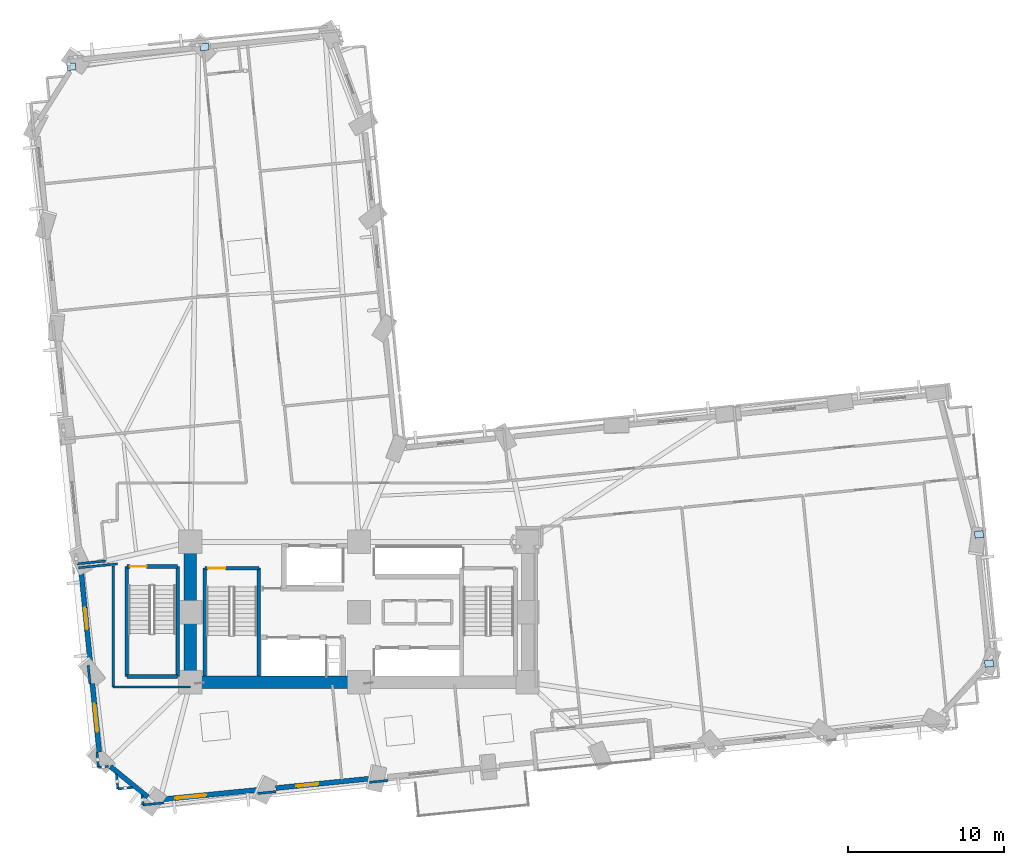
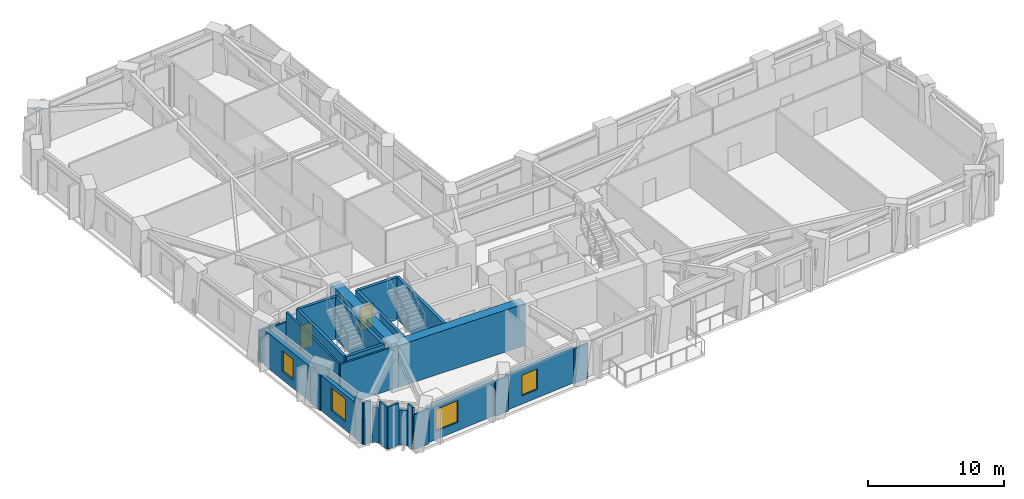
# One storey, part 7 of 16: 27 walls, 4 plates, 4 windows, 2 doors, 6 openings.
"""IFC4 building model written with IfcOpenShell, lengths in metres."""

from ifc_helpers import new_model, si_unit, direction, frame, frame_2d, origin, origin_2d, place, context, subcontext, project, spatial, rectangle, extrude, material, layer, layer_set, type_object, element, fill, save


model = new_model("IFC4")

# Units and contexts
model_context = context("Model", 3, precision=1e-05, world=origin(), true_north=direction((0.0, 1.0)))
body_context = subcontext(model_context, "Body", "Model", "MODEL_VIEW")
ifc_project = project(units=[si_unit("LENGTHUNIT", "METRE"), si_unit("AREAUNIT", "SQUARE_METRE"), si_unit("VOLUMEUNIT", "CUBIC_METRE"), si_unit("PLANEANGLEUNIT", "RADIAN"), si_unit("MASSUNIT", "GRAM", prefix="KILO")], contexts=[model_context])

# Site, building, storey
site_placement = place(None, origin())
site = spatial("IfcSite", under=ifc_project, at=site_placement, CompositionType="ELEMENT")
building_placement = place(site_placement, origin())
building = spatial("IfcBuilding", under=site, at=building_placement, Name="Gaonmaruhae Medical Tower", CompositionType="ELEMENT")
storey_placement = place(building_placement, frame((0.0, 0.0, 47.0)))
storey = spatial("IfcBuildingStorey", under=building, at=storey_placement, Name="L10", CompositionType="ELEMENT", Elevation=47.0)

# Plates
ifc_material_1 = material(Name="Steel HSA650 (650 MPa)", Category="steel")
ifc_layer_1 = layer(ifc_material_1, 0.028076171875)
ifc_layer_set_1 = layer_set([ifc_layer_1], Name="Steel HSA650 (650 MPa)")
plate_type = type_object("IfcPlateType", Name="GP-02 Tube Brace End Cap Gusset Plate", PredefinedType="USERDEFINED", material=ifc_layer_set_1)
for number, where, z_axis, x_axis, name in (
    (1, (65.174560546875, 9.0078125, 0.23583984375), (0.0, 0.0, 1.0), (0.995055569961, 0.099319749744, 0.0), "L10 Gusset Cap Plate PLT-L10-PBR-E01A"),
    (2, (64.52880859375, 17.281005859375, 3.51611328125), (0.0, 0.0, 1.0), (0.993272085779, 0.115803987891, 0.0), "L10 Gusset Cap Plate PLT-L10-PBR-E01B"),
    (3, (14.902587890625, 48.51025390625, 0.23583984375), (0.0, 0.0, 1.0), (0.995055569961, 0.099319749744, 0.0), "L10 Gusset Cap Plate PLT-L10-PBR-N02A"),
    (4, (6.3671875, 47.247314453125, 3.51611328125), (0.0, 0.0, 1.0), (0.993272085779, 0.115803987891, 0.0), "L10 Gusset Cap Plate PLT-L10-PBR-N02B"),
):
    element("IfcPlate", number, at=place(storey_placement, frame(where, z_axis=z_axis, x_axis=x_axis)), inside=storey, type_object=plate_type, Name=name, ObjectType="GUSSET_PLATE", PredefinedType="USERDEFINED", context=body_context, shape_type="SweptSolid", body=[
        extrude(rectangle(XDim=0.56005859375, YDim=0.43994140625, at=origin_2d()), origin(), (0.0, 0.0, 1.0), 0.028076171875),
    ])

# Walls
ifc_material_2 = material(Name="Concrete C60/75", Category="concrete")
ifc_layer_2 = layer(ifc_material_2, 0.800048828125)
ifc_layer_set_2 = layer_set([ifc_layer_2], Name="Concrete C60/75")
wall_type_1 = type_object("IfcWallType", Name="CW-800 Lower Core Shear Wall", PredefinedType="SHEAR", material=ifc_layer_set_2)
wall_1_placement = place(storey_placement, frame((14.0, 7.800048828125, 0.0), z_axis=(0.0, 0.0, 1.0), x_axis=(1.0, 0.0, 0.0)))
element("IfcWall", 5, at=wall_1_placement, inside=storey, type_object=wall_type_1, Name="L10 Core Shear Wall CSW-S1", PredefinedType="SHEAR", context=body_context, shape_type="SweptSolid", body=[
    extrude(rectangle(XDim=10.800048828125, YDim=0.800048828125, at=frame_2d((5.39990234375, 0.0))), origin(), (0.0, 0.0, 1.0), 3.780029296875),
])
wall_2_placement = place(storey_placement, frame((14.0, 16.800048828125, 0.0), z_axis=(0.0, 0.0, 1.0), x_axis=(0.0, -1.0, 0.0)))
element("IfcWall", 6, at=wall_2_placement, inside=storey, type_object=wall_type_1, Name="L10 Core Shear Wall CSW-W1", PredefinedType="SHEAR", context=body_context, shape_type="SweptSolid", body=[
    extrude(rectangle(XDim=9.0, YDim=0.800048828125, at=frame_2d((4.5, 0.0))), origin(), (0.0, 0.0, 1.0), 3.780029296875),
])

# Wall, opening, window
ifc_material_3 = material(Name="Precast concrete C45/55", Category="concrete")
ifc_layer_3 = layer(ifc_material_3, 0.320068359375)
ifc_layer_set_3 = layer_set([ifc_layer_3], Name="Precast concrete C45/55")
wall_type_2 = type_object("IfcWallType", Name="EW-320 Lower Precast Masonry-Frame Facade Wall", PredefinedType="SOLIDWALL", material=ifc_layer_set_3)
wall_3_placement = place(storey_placement, frame((18.291259765625, 0.911376953125, 0.0), z_axis=(0.0, 0.0, 1.0), x_axis=(-0.995055199556, -0.099323460659, 0.0)))
wall_3 = element("IfcWall", 7, at=wall_3_placement, inside=storey, type_object=wall_type_2, Name="L10 Precast Masonry-Frame Wall S01-S02", PredefinedType="SOLIDWALL", context=body_context, shape_type="SweptSolid", body=[
    extrude(rectangle(XDim=6.034423828125, YDim=0.320068359375, at=frame_2d((3.01708984375, 0.0))), origin(), (0.0, 0.0, 1.0), 3.1650390625),
])
opening_1_placement = place(wall_3_placement, frame((3.291748046875, 0.0, 0.75)))
opening_1 = element("IfcOpeningElement", 8, at=opening_1_placement, cuts=wall_3, Name="Opening WN-02", PredefinedType="OPENING", context=body_context, shape_type="SweptSolid", body=[
    extrude(rectangle(XDim=2.0, YDim=1.949951171875, at=frame_2d((1.0, 0.97509765625))), frame((0.0, 0.169921875, 0.0), z_axis=(0.0, -1.0, 0.0), x_axis=(1.0, 0.0, 0.0)), (0.0, 0.0, 1.0), 0.340087890625),
])
ifc_material_4 = material(Name="Anodised aluminium and Low-E double glazing", Category="aluminium")
window_type_1 = type_object("IfcWindowType", Name="WN-02 Double-Bed Ward Punched Window 2000x1950", PartitioningType="SINGLE_PANEL", PredefinedType="WINDOW", material=ifc_material_4)
window_1_placement = place(opening_1_placement, origin())
window_1 = element("IfcWindow", 9, at=window_1_placement, inside=storey, type_object=window_type_1, Name="L10 Modular Facade Window S01", OverallHeight=1.949951171875, OverallWidth=2.0, PartitioningType="SINGLE_PANEL", PredefinedType="WINDOW", context=body_context, shape_type="SweptSolid", body=[
    extrude(rectangle(XDim=2.0, YDim=1.949951171875, at=frame_2d((1.0, 0.97509765625))), frame((0.0, 0.030029296875, 0.0), z_axis=(0.0, -1.0, 0.0), x_axis=(1.0, 0.0, 0.0)), (0.0, 0.0, 1.0), 0.06005859375),
])
fill(opening_1, window_1)

wall_4_placement = place(storey_placement, frame((25.444091796875, 1.62548828125, 0.0), z_axis=(0.0, 0.0, 1.0), x_axis=(-0.99505247285, -0.099350773905, 0.0)))
wall_4 = element("IfcWall", 10, at=wall_4_placement, inside=storey, type_object=wall_type_2, Name="L10 Precast Masonry-Frame Wall S02-S03", PredefinedType="SOLIDWALL", context=body_context, shape_type="SweptSolid", body=[
    extrude(rectangle(XDim=6.005859375, YDim=0.320068359375, at=frame_2d((3.0029296875, 0.0))), origin(), (0.0, 0.0, 1.0), 3.1650390625),
])
opening_2_placement = place(wall_4_placement, frame((3.275634765625, 0.0, 0.75)))
opening_2 = element("IfcOpeningElement", 11, at=opening_2_placement, cuts=wall_4, Name="Opening WN-03", PredefinedType="OPENING", context=body_context, shape_type="SweptSolid", body=[
    extrude(rectangle(XDim=1.39990234375, YDim=1.85009765625, at=frame_2d((0.699951171875, 0.925048828125))), frame((0.0, 0.169921875, 0.0), z_axis=(0.0, -1.0, 0.0), x_axis=(1.0, 0.0, 0.0)), (0.0, 0.0, 1.0), 0.340087890625),
])
window_type_2 = type_object("IfcWindowType", Name="WN-03 Isolation Ward Punched Window 1400x1850", PartitioningType="SINGLE_PANEL", PredefinedType="WINDOW", material=ifc_material_4)
window_2_placement = place(opening_2_placement, origin())
window_2 = element("IfcWindow", 12, at=window_2_placement, inside=storey, type_object=window_type_2, Name="L10 Modular Facade Window S02", OverallHeight=1.85009765625, OverallWidth=1.39990234375, PartitioningType="SINGLE_PANEL", PredefinedType="WINDOW", context=body_context, shape_type="SweptSolid", body=[
    extrude(rectangle(XDim=1.39990234375, YDim=1.85009765625, at=frame_2d((0.699951171875, 0.925048828125))), frame((0.0, 0.030029296875, 0.0), z_axis=(0.0, -1.0, 0.0), x_axis=(1.0, 0.0, 0.0)), (0.0, 0.0, 1.0), 0.06005859375),
])
fill(opening_2, window_2)

wall_5_placement = place(storey_placement, frame((7.599609375, 8.909423828125, 0.0), z_axis=(0.0, 0.0, 1.0), x_axis=(-0.09929009343, 0.995058529608, 0.0)))
wall_5 = element("IfcWall", 13, at=wall_5_placement, inside=storey, type_object=wall_type_2, Name="L10 Precast Masonry-Frame Wall W05-W06", PredefinedType="SOLIDWALL", context=body_context, shape_type="SweptSolid", body=[
    extrude(rectangle(XDim=5.9970703125, YDim=0.320068359375, at=frame_2d((2.99853515625, 0.0))), origin(), (0.0, 0.0, 1.0), 3.1650390625),
])
opening_3_placement = place(wall_5_placement, frame((2.300537109375, 0.0, 0.75)))
opening_3 = element("IfcOpeningElement", 14, at=opening_3_placement, cuts=wall_5, Name="Opening WN-03", PredefinedType="OPENING", context=body_context, shape_type="SweptSolid", body=[
    extrude(rectangle(XDim=1.39990234375, YDim=1.85009765625, at=frame_2d((0.699951171875, 0.925048828125))), frame((0.0, 0.169921875, 0.0), z_axis=(0.0, -1.0, 0.0), x_axis=(1.0, 0.0, 0.0)), (0.0, 0.0, 1.0), 0.340087890625),
])
window_3_placement = place(opening_3_placement, origin())
window_3 = element("IfcWindow", 15, at=window_3_placement, inside=storey, type_object=window_type_2, Name="L10 Modular Facade Window W05", OverallHeight=1.85009765625, OverallWidth=1.39990234375, PartitioningType="SINGLE_PANEL", PredefinedType="WINDOW", context=body_context, shape_type="SweptSolid", body=[
    extrude(rectangle(XDim=1.39990234375, YDim=1.85009765625, at=frame_2d((0.699951171875, 0.925048828125))), frame((0.0, 0.030029296875, 0.0), z_axis=(0.0, -1.0, 0.0), x_axis=(1.0, 0.0, 0.0)), (0.0, 0.0, 1.0), 0.06005859375),
])
fill(opening_3, window_3)

wall_6_placement = place(storey_placement, frame((8.156982421875, 3.32666015625, 0.0), z_axis=(0.0, 0.0, 1.0), x_axis=(-0.099334053302, 0.995054142173, 0.0)))
wall_6 = element("IfcWall", 16, at=wall_6_placement, inside=storey, type_object=wall_type_2, Name="L10 Precast Masonry-Frame Wall W06-W07", PredefinedType="SOLIDWALL", context=body_context, shape_type="SweptSolid", body=[
    extrude(rectangle(XDim=4.41650390625, YDim=0.320068359375, at=frame_2d((2.208251953125, 0.0))), origin(), (0.0, 0.0, 1.0), 3.1650390625),
])
opening_4_placement = place(wall_6_placement, frame((1.310791015625, 0.0, 0.75)))
opening_4 = element("IfcOpeningElement", 17, at=opening_4_placement, cuts=wall_6, Name="Opening WN-04", PredefinedType="OPENING", context=body_context, shape_type="SweptSolid", body=[
    extrude(rectangle(XDim=1.800048828125, YDim=2.050048828125, at=frame_2d((0.89990234375, 1.02490234375))), frame((0.0, 0.169921875, 0.0), z_axis=(0.0, -1.0, 0.0), x_axis=(1.0, 0.0, 0.0)), (0.0, 0.0, 1.0), 0.340087890625),
])
window_type_3 = type_object("IfcWindowType", Name="WN-04 Clinic & Consult Punched Window 1800x2050", PartitioningType="SINGLE_PANEL", PredefinedType="WINDOW", material=ifc_material_4)
window_4_placement = place(opening_4_placement, origin())
window_4 = element("IfcWindow", 18, at=window_4_placement, inside=storey, type_object=window_type_3, Name="L10 Modular Facade Window W06", OverallHeight=2.050048828125, OverallWidth=1.800048828125, PartitioningType="SINGLE_PANEL", PredefinedType="WINDOW", context=body_context, shape_type="SweptSolid", body=[
    extrude(rectangle(XDim=1.800048828125, YDim=2.050048828125, at=frame_2d((0.89990234375, 1.02490234375))), frame((0.0, 0.030029296875, 0.0), z_axis=(0.0, -1.0, 0.0), x_axis=(1.0, 0.0, 0.0)), (0.0, 0.0, 1.0), 0.06005859375),
])
fill(opening_4, window_4)

# Walls
wall_7_placement = place(storey_placement, frame((11.27197265625, 0.4482421875, 0.0), z_axis=(0.0, 0.0, 1.0), x_axis=(-0.773873059068, 0.633340736452, 0.0)))
element("IfcWall", 19, at=wall_7_placement, inside=storey, type_object=wall_type_2, Name="L10 Precast Masonry-Frame Wall W07-S01", PredefinedType="SOLIDWALL", context=body_context, shape_type="SweptSolid", body=[
    extrude(rectangle(XDim=3.099365234375, YDim=0.320068359375, at=frame_2d((1.5498046875, 0.0))), origin(), (0.0, 0.0, 1.0), 3.1650390625),
])
ifc_material_5 = material(Name="Gypsum board partition", Category="gypsum")
ifc_layer_4 = layer(ifc_material_5, 0.14990234375)
ifc_layer_set_4 = layer_set([ifc_layer_4], Name="Gypsum board partition")
wall_type_3 = type_object("IfcWallType", Name="PW-150 Rated Clinical Corridor Partition", PredefinedType="PARTITIONING", material=ifc_layer_set_4)
wall_8_placement = place(storey_placement, frame((6.826904296875, 15.14306640625, 0.0), z_axis=(0.0, 0.0, 1.0), x_axis=(0.995048760406, 0.099387949042, 0.0)))
element("IfcWall", 20, at=wall_8_placement, inside=storey, type_object=wall_type_3, Name="L10 Interior Partition L10-SUP01-8", PredefinedType="PARTITIONING", context=body_context, shape_type="SweptSolid", body=[
    extrude(rectangle(XDim=2.505615234375, YDim=0.14990234375, at=frame_2d((1.2529296875, 0.0))), origin(), (0.0, 0.0, 1.0), 2.864990234375),
])
wall_9_placement = place(storey_placement, frame((9.050048828125, 15.260009765625, 0.0), z_axis=(0.0, 0.0, 1.0), x_axis=(0.0, -1.0, 0.0)))
element("IfcWall", 21, at=wall_9_placement, inside=storey, type_object=wall_type_3, Name="L10 Interior Partition L10-SUP01-9", PredefinedType="PARTITIONING", context=body_context, shape_type="SweptSolid", body=[
    extrude(rectangle(XDim=7.760009765625, YDim=0.14990234375, at=frame_2d((3.8798828125, 0.0))), origin(), (0.0, 0.0, 1.0), 3.780029296875),
])
wall_10_placement = place(storey_placement, frame((9.050048828125, 7.5, 0.0), z_axis=(0.0, 0.0, 1.0), x_axis=(1.0, 0.0, 0.0)))
element("IfcWall", 22, at=wall_10_placement, inside=storey, type_object=wall_type_3, Name="L10 Interior Partition L10-SUP01-10", PredefinedType="PARTITIONING", context=body_context, shape_type="SweptSolid", body=[
    extrude(rectangle(XDim=4.949951171875, YDim=0.14990234375, at=frame_2d((2.47509765625, 0.0))), origin(), (0.0, 0.0, 1.0), 3.780029296875),
])
wall_11_placement = place(storey_placement, frame((12.31005859375, 0.0830078125, 0.0), z_axis=(0.0, 0.0, 1.0), x_axis=(-0.99506557265, -0.099219484615, 0.0)))
element("IfcWall", 23, at=wall_11_placement, inside=storey, type_object=wall_type_3, Name="L10 Interior Partition L10-SUP01-12", PredefinedType="PARTITIONING", context=body_context, shape_type="SweptSolid", body=[
    extrude(rectangle(XDim=1.36083984375, YDim=0.14990234375, at=frame_2d((0.680419921875, 0.0))), origin(), (0.0, 0.0, 1.0), 3.1650390625),
])
wall_12_placement = place(storey_placement, frame((10.9560546875, -0.052001953125, 0.0), z_axis=(0.0, 0.0, 1.0), x_axis=(-0.098558109302, 0.995131297413, 0.0)))
element("IfcWall", 24, at=wall_12_placement, inside=storey, type_object=wall_type_3, Name="L10 Interior Partition L10-SUP01-13", PredefinedType="PARTITIONING", context=body_context, shape_type="SweptSolid", body=[
    extrude(rectangle(XDim=0.63916015625, YDim=0.14990234375, at=frame_2d((0.319580078125, 0.0))), origin(), (0.0, 0.0, 1.0), 3.780029296875),
])
for number, where, z_axis, x_axis, name in (
    (25, (10.301025390625, 1.068115234375, 0.0), (0.0, 0.0, 1.0), (-0.99505733774, -0.099302037287, 0.0), "L10 Interior Partition L10-SUP01-14"),
    (26, (9.346923828125, 0.972900390625, 0.0), (0.0, 0.0, 1.0), (-0.099049917912, 0.99508246581, 0.0), "L10 Interior Partition L10-SUP01-15"),
):
    element("IfcWall", number, at=place(storey_placement, frame(where, z_axis=z_axis, x_axis=x_axis)), inside=storey, type_object=wall_type_3, Name=name, PredefinedType="PARTITIONING", context=body_context, shape_type="SweptSolid", body=[
        extrude(rectangle(XDim=0.958740234375, YDim=0.14990234375, at=frame_2d((0.4794921875, 0.0))), origin(), (0.0, 0.0, 1.0), 3.780029296875),
    ])
wall_13_placement = place(storey_placement, frame((8.739013671875, 2.419921875, 0.0), z_axis=(0.0, 0.0, 1.0), x_axis=(-0.995131297413, -0.098558109302, 0.0)))
element("IfcWall", 27, at=wall_13_placement, inside=storey, type_object=wall_type_3, Name="L10 Interior Partition L10-SUP01-16", PredefinedType="PARTITIONING", context=body_context, shape_type="SweptSolid", body=[
    extrude(rectangle(XDim=0.63916015625, YDim=0.14990234375, at=frame_2d((0.319580078125, 0.0))), origin(), (0.0, 0.0, 1.0), 3.780029296875),
])
wall_14_placement = place(storey_placement, frame((8.10302734375, 2.35693359375, 0.0), z_axis=(0.0, 0.0, 1.0), x_axis=(-0.098949631996, 0.995092443107, 0.0)))
element("IfcWall", 28, at=wall_14_placement, inside=storey, type_object=wall_type_3, Name="L10 Interior Partition L10-SUP01-17", PredefinedType="PARTITIONING", context=body_context, shape_type="SweptSolid", body=[
    extrude(rectangle(XDim=0.959716796875, YDim=0.14990234375, at=frame_2d((0.47998046875, 0.0))), origin(), (0.0, 0.0, 1.0), 3.780029296875),
])
wall_15_placement = place(storey_placement, frame((7.569091796875, 7.70703125, 0.0), z_axis=(0.0, 0.0, 1.0), x_axis=(-0.098977273317, 0.995089694132, 0.0)))
element("IfcWall", 29, at=wall_15_placement, inside=storey, type_object=wall_type_3, Name="L10 Interior Partition L10-SUP01-18", PredefinedType="PARTITIONING", context=body_context, shape_type="SweptSolid", body=[
    extrude(rectangle(XDim=1.19384765625, YDim=0.14990234375, at=frame_2d((0.596923828125, 0.0))), origin(), (0.0, 0.0, 1.0), 3.1650390625),
])
wall_16_placement = place(storey_placement, frame((19.490966796875, 0.800048828125, 0.0), z_axis=(0.0, 0.0, 1.0), x_axis=(-0.995100341946, -0.098870164653, 0.0)))
element("IfcWall", 30, at=wall_16_placement, inside=storey, type_object=wall_type_3, Name="L10 Interior Partition L10-SUP02-19", PredefinedType="PARTITIONING", context=body_context, shape_type="SweptSolid", body=[
    extrude(rectangle(XDim=1.182861328125, YDim=0.14990234375, at=frame_2d((0.59130859375, 0.0))), origin(), (0.0, 0.0, 1.0), 3.1650390625),
])
wall_17_placement = place(storey_placement, frame((26.666015625, 1.51611328125, 0.0), z_axis=(0.0, 0.0, 1.0), x_axis=(-0.995019119449, -0.099684261203, 0.0)))
element("IfcWall", 31, at=wall_17_placement, inside=storey, type_object=wall_type_3, Name="L10 Interior Partition L10-SUP03-21", PredefinedType="PARTITIONING", context=body_context, shape_type="SweptSolid", body=[
    extrude(rectangle(XDim=1.205078125, YDim=0.14990234375, at=frame_2d((0.6025390625, 0.0))), origin(), (0.0, 0.0, 1.0), 3.1650390625),
])
wall_18_placement = place(storey_placement, frame((8.56201171875, 15.577880859375, 0.0), z_axis=(0.0, 0.0, 1.0), x_axis=(-0.995051550864, -0.099360007665, 0.0)))
element("IfcWall", 32, at=wall_18_placement, inside=storey, type_object=wall_type_3, Name="L10 Interior Partition L10-WOF08-48", PredefinedType="PARTITIONING", context=body_context, shape_type="SweptSolid", body=[
    extrude(rectangle(XDim=1.850341796875, YDim=0.14990234375, at=frame_2d((0.92529296875, 0.0))), origin(), (0.0, 0.0, 1.0), 2.864990234375),
])

# Wall, opening, door
ifc_material_6 = material(Name="Concrete C50/60", Category="concrete")
ifc_layer_5 = layer(ifc_material_6, 0.239990234375)
ifc_layer_set_5 = layer_set([ifc_layer_5], Name="Concrete C50/60")
wall_type_4 = type_object("IfcWallType", Name="SW-240 Dogleg Stair Tight Shaft Wall", PredefinedType="SOLIDWALL", material=ifc_layer_set_5)
wall_19_placement = place(storey_placement, frame((14.919921875, 15.1201171875, 0.0), z_axis=(0.0, 0.0, 1.0), x_axis=(1.0, 0.0, 0.0)))
wall_19 = element("IfcWall", 33, at=wall_19_placement, inside=storey, type_object=wall_type_4, Name="L10 ST-01 Stair Shaft Wall SHW-ST-01-N", PredefinedType="SOLIDWALL", context=body_context, shape_type="SweptSolid", body=[
    extrude(rectangle(XDim=3.4599609375, YDim=0.239990234375, at=frame_2d((1.72998046875, 0.0))), origin(), (0.0, 0.0, 1.0), 3.780029296875),
])
opening_5_placement = place(wall_19_placement, frame((0.219970703125, 0.0, 0.0)))
opening_5 = element("IfcOpeningElement", 34, at=opening_5_placement, cuts=wall_19, Name="Opening FD-01", PredefinedType="OPENING", context=body_context, shape_type="SweptSolid", body=[
    extrude(rectangle(XDim=1.10009765625, YDim=2.14990234375, at=frame_2d((0.550048828125, 1.074951171875))), frame((0.0, 0.1298828125, 0.0), z_axis=(0.0, -1.0, 0.0), x_axis=(1.0, 0.0, 0.0)), (0.0, 0.0, 1.0), 0.260009765625),
])
ifc_material_7 = material(Name="Powder-coated steel fire door", Category="steel")
door_type_1 = type_object("IfcDoorType", Name="FD-01 Escape Stair Protected Fire Door 1100x2150", OperationType="NOTDEFINED", PredefinedType="DOOR", material=ifc_material_7)
door_1_placement = place(opening_5_placement, origin())
door_1 = element("IfcDoor", 35, at=door_1_placement, inside=storey, type_object=door_type_1, Name="L10 ST-01 Protected Escape Stair Door", OperationType="SINGLE_SWING_LEFT", OverallHeight=2.14990234375, OverallWidth=1.10009765625, PredefinedType="DOOR", context=body_context, shape_type="SweptSolid", body=[
    extrude(rectangle(XDim=1.10009765625, YDim=2.14990234375, at=frame_2d((0.550048828125, 1.074951171875))), frame((0.0, 0.02490234375, 0.0), z_axis=(0.0, -1.0, 0.0), x_axis=(1.0, 0.0, 0.0)), (0.0, 0.0, 1.0), 0.050048828125),
])
fill(opening_5, door_1)

# Walls
for number, where, z_axis, x_axis, name in (
    (36, (18.3798828125, 15.1201171875, 0.0), (0.0, 0.0, 1.0), (0.0, -1.0, 0.0), "L10 ST-01 Stair Shaft Wall SHW-ST-01-E"),
    (37, (14.919921875, 8.199951171875, 0.0), (0.0, 0.0, 1.0), (0.0, 1.0, 0.0), "L10 ST-01 Stair Shaft Wall SHW-ST-01-W"),
):
    element("IfcWall", number, at=place(storey_placement, frame(where, z_axis=z_axis, x_axis=x_axis)), inside=storey, type_object=wall_type_4, Name=name, PredefinedType="SOLIDWALL", context=body_context, shape_type="SweptSolid", body=[
        extrude(rectangle(XDim=6.920166015625, YDim=0.239990234375, at=frame_2d((3.4599609375, 0.0))), origin(), (0.0, 0.0, 1.0), 3.780029296875),
    ])

# Wall, opening, door
wall_20_placement = place(storey_placement, frame((9.919921875, 15.219970703125, 0.0), z_axis=(0.0, 0.0, 1.0), x_axis=(1.0, 0.0, 0.0)))
wall_20 = element("IfcWall", 38, at=wall_20_placement, inside=storey, type_object=wall_type_4, Name="L10 ST-03 Stair Shaft Wall SHW-ST-03-N", PredefinedType="SOLIDWALL", context=body_context, shape_type="SweptSolid", body=[
    extrude(rectangle(XDim=3.260009765625, YDim=0.239990234375, at=frame_2d((1.6298828125, 0.0))), origin(), (0.0, 0.0, 1.0), 3.780029296875),
])
opening_6_placement = place(wall_20_placement, frame((0.219970703125, 0.0, 0.0)))
opening_6 = element("IfcOpeningElement", 39, at=opening_6_placement, cuts=wall_20, Name="Opening FD-02", PredefinedType="OPENING", context=body_context, shape_type="SweptSolid", body=[
    extrude(rectangle(XDim=1.050048828125, YDim=2.14990234375, at=frame_2d((0.52490234375, 1.074951171875))), frame((0.0, 0.1298828125, 0.0), z_axis=(0.0, -1.0, 0.0), x_axis=(1.0, 0.0, 0.0)), (0.0, 0.0, 1.0), 0.260009765625),
])
door_type_2 = type_object("IfcDoorType", Name="FD-02 Secondary Stair Fire Door 1050x2150", OperationType="NOTDEFINED", PredefinedType="DOOR", material=ifc_material_7)
door_2_placement = place(opening_6_placement, origin())
door_2 = element("IfcDoor", 40, at=door_2_placement, inside=storey, type_object=door_type_2, Name="L10 ST-03 Protected Escape Stair Door", OperationType="SINGLE_SWING_LEFT", OverallHeight=2.14990234375, OverallWidth=1.050048828125, PredefinedType="DOOR", context=body_context, shape_type="SweptSolid", body=[
    extrude(rectangle(XDim=1.050048828125, YDim=2.14990234375, at=frame_2d((0.52490234375, 1.074951171875))), frame((0.0, 0.02490234375, 0.0), z_axis=(0.0, -1.0, 0.0), x_axis=(1.0, 0.0, 0.0)), (0.0, 0.0, 1.0), 0.050048828125),
])
fill(opening_6, door_2)

# Walls
wall_21_placement = place(storey_placement, frame((13.179931640625, 15.219970703125, 0.0), z_axis=(0.0, 0.0, 1.0), x_axis=(0.0, -1.0, 0.0)))
element("IfcWall", 41, at=wall_21_placement, inside=storey, type_object=wall_type_4, Name="L10 ST-03 Stair Shaft Wall SHW-ST-03-E", PredefinedType="SOLIDWALL", context=body_context, shape_type="SweptSolid", body=[
    extrude(rectangle(XDim=7.050048828125, YDim=0.239990234375, at=frame_2d((3.52490234375, 0.0))), origin(), (0.0, 0.0, 1.0), 3.780029296875),
])
wall_22_placement = place(storey_placement, frame((13.179931640625, 8.169921875, 0.0), z_axis=(0.0, 0.0, 1.0), x_axis=(-1.0, 0.0, 0.0)))
element("IfcWall", 42, at=wall_22_placement, inside=storey, type_object=wall_type_4, Name="L10 ST-03 Stair Shaft Wall SHW-ST-03-S", PredefinedType="SOLIDWALL", context=body_context, shape_type="SweptSolid", body=[
    extrude(rectangle(XDim=3.260009765625, YDim=0.239990234375, at=frame_2d((1.6298828125, 0.0))), origin(), (0.0, 0.0, 1.0), 3.780029296875),
])
wall_23_placement = place(storey_placement, frame((9.919921875, 8.169921875, 0.0), z_axis=(0.0, 0.0, 1.0), x_axis=(0.0, 1.0, 0.0)))
element("IfcWall", 43, at=wall_23_placement, inside=storey, type_object=wall_type_4, Name="L10 ST-03 Stair Shaft Wall SHW-ST-03-W", PredefinedType="SOLIDWALL", context=body_context, shape_type="SweptSolid", body=[
    extrude(rectangle(XDim=7.050048828125, YDim=0.239990234375, at=frame_2d((3.52490234375, 0.0))), origin(), (0.0, 0.0, 1.0), 3.780029296875),
])

save(model, "model.ifc")
